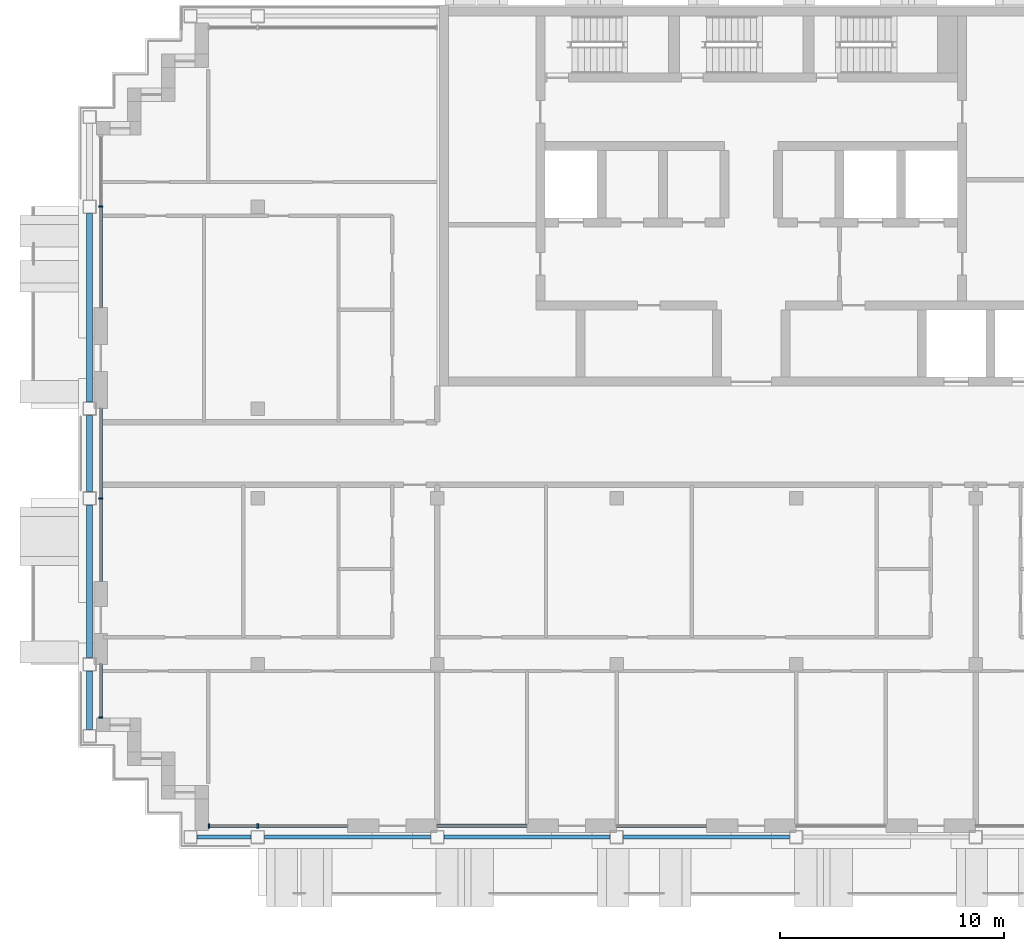
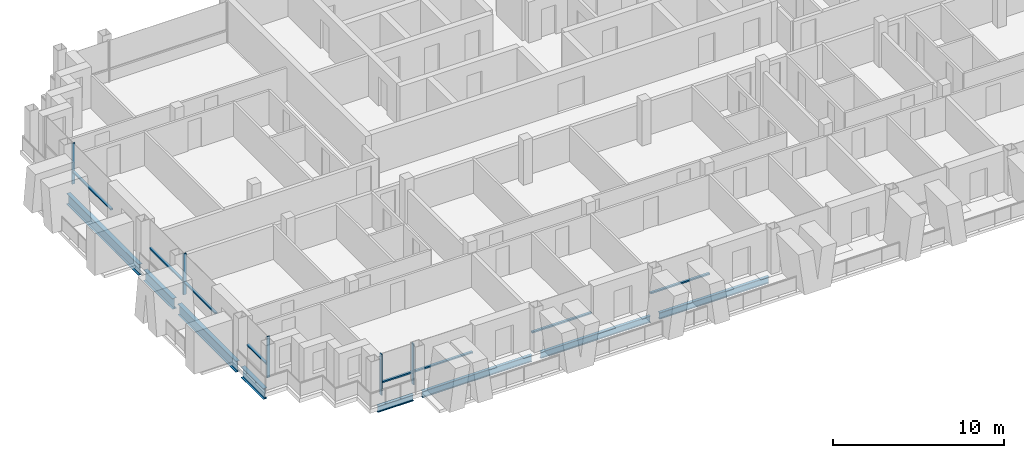
# One storey, part 2 of 15: 13 members, 8 beams, 6 elements without a shape of their own.
"""IFC4 building model written with IfcOpenShell, lengths in metres."""

from ifc_helpers import new_model, si_unit, direction, frame, origin, origin_2d, place, context, subcontext, project, spatial, rectangle, i_section, extrude, material, material_profile, profile_set, type_object, element, aggregate, save


model = new_model("IFC4")

# Units and contexts
model_context = context("Model", 3, precision=1e-05, world=origin(), true_north=direction((0.0, 1.0)))
body_context = subcontext(model_context, "Body", "Model", "MODEL_VIEW")
ifc_project = project(units=[si_unit("LENGTHUNIT", "METRE"), si_unit("AREAUNIT", "SQUARE_METRE"), si_unit("VOLUMEUNIT", "CUBIC_METRE"), si_unit("PLANEANGLEUNIT", "RADIAN"), si_unit("MASSUNIT", "GRAM", prefix="KILO")], contexts=[model_context])

# Site, building, storey
site_placement = place(None, origin())
site = spatial("IfcSite", under=ifc_project, at=site_placement, CompositionType="ELEMENT")
building_placement = place(site_placement, origin())
building = spatial("IfcBuilding", under=site, at=building_placement, Name="Vidyagriha Tower", CompositionType="ELEMENT")
storey_placement = place(building_placement, frame((0.0, 0.0, 210.800048828125)))
storey = spatial("IfcBuildingStorey", under=building, at=storey_placement, Name="L54", CompositionType="ELEMENT", Elevation=210.800048828125)

# Beams
ifc_material_1 = material(Name="Steel ASTM A992 Grade 50", Category="steel")
ifc_material_profile_1 = material_profile(ifc_material_1, i_section(OverallWidth=0.2666015625, OverallDepth=0.76953125, WebThickness=0.015625, FlangeThickness=0.025390625, at=origin_2d()), Name="W30X132")
ifc_profile_set_1 = profile_set([ifc_material_profile_1], Name="Steel ASTM A992 Grade 50")
beam_type_1 = type_object("IfcBeamType", Name="Cantilever edge beam W30X132", PredefinedType="SPANDREL", material=ifc_profile_set_1)
beam_1_placement = place(storey_placement, frame((-29.5, -12.300048828125, -0.664794921875), z_axis=(0.0, 1.0, 0.0), x_axis=(-1.0, 0.0, 0.0)))
element("IfcBeam", 1, at=beam_1_placement, inside=storey, type_object=beam_type_1, Name="st-beam-L54-W08", PredefinedType="SPANDREL", context=body_context, shape_type="SweptSolid", body=[
    extrude(i_section(OverallWidth=0.2666015625, OverallDepth=0.76953125, WebThickness=0.015625, FlangeThickness=0.025390625, at=origin_2d()), origin(), (0.0, 0.0, 1.0), 2.60009765625),
])
beam_2_placement = place(storey_placement, frame((-29.5, -9.10009765625, -0.664794921875), z_axis=(0.0, 1.0, 0.0), x_axis=(-1.0, 0.0, 0.0)))
element("IfcBeam", 2, at=beam_2_placement, inside=storey, type_object=beam_type_1, Name="st-beam-L54-W09", PredefinedType="SPANDREL", context=body_context, shape_type="SweptSolid", body=[
    extrude(i_section(OverallWidth=0.2666015625, OverallDepth=0.76953125, WebThickness=0.015625, FlangeThickness=0.025390625, at=origin_2d()), origin(), (0.0, 0.0, 1.0), 6.800048828125),
])
beam_3_placement = place(storey_placement, frame((-29.5, -1.699951171875, -0.664794921875), z_axis=(0.0, 1.0, 0.0), x_axis=(-1.0, 0.0, 0.0)))
element("IfcBeam", 3, at=beam_3_placement, inside=storey, type_object=beam_type_1, Name="st-beam-L54-W10", PredefinedType="SPANDREL", context=body_context, shape_type="SweptSolid", body=[
    extrude(i_section(OverallWidth=0.2666015625, OverallDepth=0.76953125, WebThickness=0.015625, FlangeThickness=0.025390625, at=origin_2d()), origin(), (0.0, 0.0, 1.0), 3.39990234375),
])
beam_4_placement = place(storey_placement, frame((-29.5, 2.300048828125, -0.664794921875), z_axis=(0.0, 1.0, 0.0), x_axis=(-1.0, 0.0, 0.0)))
element("IfcBeam", 4, at=beam_4_placement, inside=storey, type_object=beam_type_1, Name="st-beam-L54-W11", PredefinedType="SPANDREL", context=body_context, shape_type="SweptSolid", body=[
    extrude(i_section(OverallWidth=0.2666015625, OverallDepth=0.76953125, WebThickness=0.015625, FlangeThickness=0.025390625, at=origin_2d()), origin(), (0.0, 0.0, 1.0), 8.39990234375),
])
ifc_material_2 = material(Name="Steel ASTM A992 Grade 50", Category="steel")
ifc_material_profile_2 = material_profile(ifc_material_2, i_section(OverallWidth=0.19189453125, OverallDepth=0.46240234375, WebThickness=0.010498046875, FlangeThickness=0.017578125, at=origin_2d()), Name="W18X60")
ifc_profile_set_2 = profile_set([ifc_material_profile_2], Name="Steel ASTM A992 Grade 50")
beam_type_2 = type_object("IfcBeamType", Name="Edge beam W18X60", PredefinedType="SPANDREL", material=ifc_profile_set_2)
beam_5_placement = place(storey_placement, frame((-24.699951171875, -17.10009765625, -0.51123046875), z_axis=(1.0, 0.0, 0.0), x_axis=(0.0, 1.0, 0.0)))
element("IfcBeam", 5, at=beam_5_placement, inside=storey, type_object=beam_type_2, Name="st-beam-L54-S01", PredefinedType="SPANDREL", context=body_context, shape_type="SweptSolid", body=[
    extrude(i_section(OverallWidth=0.19189453125, OverallDepth=0.46240234375, WebThickness=0.010498046875, FlangeThickness=0.017578125, at=origin_2d()), origin(), (0.0, 0.0, 1.0), 2.39990234375),
])
for number, where, z_axis, x_axis, name in (
    (6, (-21.699951171875, -17.10009765625, -0.51123046875), (1.0, 0.0, 0.0), (0.0, 1.0, 0.0), "st-beam-L54-S02"),
    (7, (-13.699951171875, -17.10009765625, -0.51123046875), (1.0, 0.0, 0.0), (0.0, 1.0, 0.0), "st-beam-L54-S03"),
    (8, (-5.699951171875, -17.10009765625, -0.51123046875), (1.0, 0.0, 0.0), (0.0, 1.0, 0.0), "st-beam-L54-S04"),
):
    element("IfcBeam", number, at=place(storey_placement, frame(where, z_axis=z_axis, x_axis=x_axis)), inside=storey, type_object=beam_type_2, Name=name, PredefinedType="SPANDREL", context=body_context, shape_type="SweptSolid", body=[
        extrude(i_section(OverallWidth=0.19189453125, OverallDepth=0.46240234375, WebThickness=0.010498046875, FlangeThickness=0.017578125, at=origin_2d()), origin(), (0.0, 0.0, 1.0), 7.39990234375),
    ])

# Curtain wall, member
ifc_material_3 = material(Name="Aluminium and glass curtain wall", Category="aluminium")
curtain_wall_type = type_object("IfcCurtainWallType", Name="Dwelling skin unitised curtain wall", PredefinedType="USERDEFINED", material=ifc_material_3)
curtain_wall_1_placement = place(storey_placement, origin())
curtain_wall_1 = element("IfcCurtainWall", 9, at=curtain_wall_1_placement, inside=storey, type_object=curtain_wall_type, Name="CW1 dwelling skin", ObjectType="UNITISED", PredefinedType="USERDEFINED")
ifc_material_4 = material(Name="Aluminium black anodised", Category="aluminium")
ifc_material_profile_3 = material_profile(ifc_material_4, rectangle(XDim=0.199951171875, YDim=0.070068359375, at=origin_2d()), Name="Mullion 70x200 black aluminium")
ifc_profile_set_3 = profile_set([ifc_material_profile_3], Name="Aluminium black anodised")
member_type_1 = type_object("IfcMemberType", Name="Mullion 70x200 black aluminium", PredefinedType="MULLION", material=ifc_profile_set_3)
member_1_placement = place(storey_placement, frame((-29.0, 11.0, 0.0)))
member_1 = element("IfcMember", 10, at=member_1_placement, type_object=member_type_1, Name="CW1 mullion 2", PredefinedType="MULLION", context=body_context, shape_type="SweptSolid", body=[
    extrude(rectangle(XDim=0.199951171875, YDim=0.070068359375, at=origin_2d()), origin(), (0.0, 0.0, 1.0), 2.919921875),
])

curtain_wall_2_placement = place(storey_placement, origin())
curtain_wall_2 = element("IfcCurtainWall", 11, at=curtain_wall_2_placement, inside=storey, type_object=curtain_wall_type, Name="CW1 dwelling skin", ObjectType="UNITISED", PredefinedType="USERDEFINED")
member_2_placement = place(storey_placement, frame((-29.0, -2.0, 0.0)))
member_2 = element("IfcMember", 12, at=member_2_placement, type_object=member_type_1, Name="CW1 mullion 2", PredefinedType="MULLION", context=body_context, shape_type="SweptSolid", body=[
    extrude(rectangle(XDim=0.199951171875, YDim=0.070068359375, at=origin_2d()), origin(), (0.0, 0.0, 1.0), 2.919921875),
])

curtain_wall_3_placement = place(storey_placement, origin())
curtain_wall_3 = element("IfcCurtainWall", 13, at=curtain_wall_3_placement, inside=storey, type_object=curtain_wall_type, Name="CW1 dwelling skin", ObjectType="UNITISED", PredefinedType="USERDEFINED")
member_3_placement = place(storey_placement, frame((-29.0, -11.764892578125, 0.0)))
member_3 = element("IfcMember", 14, at=member_3_placement, type_object=member_type_1, Name="CW1 mullion 2", PredefinedType="MULLION", context=body_context, shape_type="SweptSolid", body=[
    extrude(rectangle(XDim=0.199951171875, YDim=0.070068359375, at=origin_2d()), origin(), (0.0, 0.0, 1.0), 2.919921875),
])

# Curtain wall, members
curtain_wall_4_placement = place(storey_placement, origin())
curtain_wall_4 = element("IfcCurtainWall", 15, at=curtain_wall_4_placement, inside=storey, type_object=curtain_wall_type, Name="CW1 dwelling skin", ObjectType="UNITISED", PredefinedType="USERDEFINED")
member_4_placement = place(storey_placement, frame((-24.1650390625, -16.60009765625, 0.0), z_axis=(0.0, 0.0, 1.0), x_axis=(0.0, 1.0, 0.0)))
member_4 = element("IfcMember", 16, at=member_4_placement, type_object=member_type_1, Name="CW1 mullion 1", PredefinedType="MULLION", context=body_context, shape_type="SweptSolid", body=[
    extrude(rectangle(XDim=0.199951171875, YDim=0.070068359375, at=origin_2d()), origin(), (0.0, 0.0, 1.0), 2.919921875),
])
member_5_placement = place(storey_placement, frame((-22.0, -16.60009765625, 0.0), z_axis=(0.0, 0.0, 1.0), x_axis=(0.0, 1.0, 0.0)))
member_5 = element("IfcMember", 17, at=member_5_placement, type_object=member_type_1, Name="CW1 mullion 2", PredefinedType="MULLION", context=body_context, shape_type="SweptSolid", body=[
    extrude(rectangle(XDim=0.199951171875, YDim=0.070068359375, at=origin_2d()), origin(), (0.0, 0.0, 1.0), 2.919921875),
])

# Member
ifc_material_5 = material(Name="Aluminium black anodised", Category="aluminium")
ifc_material_profile_4 = material_profile(ifc_material_5, rectangle(XDim=0.159912109375, YDim=0.10009765625, at=origin_2d()), Name="Transom 100x160 black aluminium")
ifc_profile_set_4 = profile_set([ifc_material_profile_4], Name="Aluminium black anodised")
member_type_2 = type_object("IfcMemberType", Name="Transom 100x160 black aluminium", PredefinedType="USERDEFINED", material=ifc_profile_set_4)
member_6_placement = place(storey_placement, frame((-29.0, 10.965087890625, 0.89990234375), z_axis=(0.0, -1.0, 0.0), x_axis=(1.0, 0.0, 0.0)))
member_6 = element("IfcMember", 18, at=member_6_placement, type_object=member_type_2, Name="CW1 transom 2.1", ObjectType="TRANSOM", PredefinedType="USERDEFINED", context=body_context, shape_type="SweptSolid", body=[
    extrude(rectangle(XDim=0.159912109375, YDim=0.10009765625, at=origin_2d()), origin(), (0.0, 0.0, 1.0), 4.465087890625),
])

aggregate(curtain_wall_1, [member_1, member_6])

member_7_placement = place(storey_placement, frame((-29.0, 2.0, 0.89990234375), z_axis=(0.0, -1.0, 0.0), x_axis=(1.0, 0.0, 0.0)))
member_7 = element("IfcMember", 19, at=member_7_placement, type_object=member_type_2, Name="CW1 transom 1.1", ObjectType="TRANSOM", PredefinedType="USERDEFINED", context=body_context, shape_type="SweptSolid", body=[
    extrude(rectangle(XDim=0.159912109375, YDim=0.10009765625, at=origin_2d()), origin(), (0.0, 0.0, 1.0), 3.965087890625),
])

member_8_placement = place(storey_placement, frame((-29.0, -2.034912109375, 0.89990234375), z_axis=(0.0, -1.0, 0.0), x_axis=(1.0, 0.0, 0.0)))
member_8 = element("IfcMember", 20, at=member_8_placement, type_object=member_type_2, Name="CW1 transom 2.1", ObjectType="TRANSOM", PredefinedType="USERDEFINED", context=body_context, shape_type="SweptSolid", body=[
    extrude(rectangle(XDim=0.159912109375, YDim=0.10009765625, at=origin_2d()), origin(), (0.0, 0.0, 1.0), 3.6650390625),
])

aggregate(curtain_wall_2, [member_2, member_7, member_8])

member_9_placement = place(storey_placement, frame((-29.0, -9.39990234375, 0.89990234375), z_axis=(0.0, -1.0, 0.0), x_axis=(1.0, 0.0, 0.0)))
member_9 = element("IfcMember", 21, at=member_9_placement, type_object=member_type_2, Name="CW1 transom 1.1", ObjectType="TRANSOM", PredefinedType="USERDEFINED", context=body_context, shape_type="SweptSolid", body=[
    extrude(rectangle(XDim=0.159912109375, YDim=0.10009765625, at=origin_2d()), origin(), (0.0, 0.0, 1.0), 2.330078125),
])

aggregate(curtain_wall_3, [member_3, member_9])

member_10_placement = place(storey_placement, frame((-24.1298828125, -16.60009765625, 0.89990234375), z_axis=(1.0, 0.0, 0.0), x_axis=(0.0, 1.0, 0.0)))
member_10 = element("IfcMember", 22, at=member_10_placement, type_object=member_type_2, Name="CW1 transom 1.1", ObjectType="TRANSOM", PredefinedType="USERDEFINED", context=body_context, shape_type="SweptSolid", body=[
    extrude(rectangle(XDim=0.159912109375, YDim=0.10009765625, at=origin_2d()), origin(), (0.0, 0.0, 1.0), 2.094970703125),
])

member_11_placement = place(storey_placement, frame((-21.965087890625, -16.60009765625, 0.89990234375), z_axis=(1.0, 0.0, 0.0), x_axis=(0.0, 1.0, 0.0)))
member_11 = element("IfcMember", 23, at=member_11_placement, type_object=member_type_2, Name="CW1 transom 2.1", ObjectType="TRANSOM", PredefinedType="USERDEFINED", context=body_context, shape_type="SweptSolid", body=[
    extrude(rectangle(XDim=0.159912109375, YDim=0.10009765625, at=origin_2d()), origin(), (0.0, 0.0, 1.0), 3.965087890625),
])

aggregate(curtain_wall_4, [member_4, member_5, member_10, member_11])

# Curtain wall, member
curtain_wall_5_placement = place(storey_placement, origin())
curtain_wall_5 = element("IfcCurtainWall", 24, at=curtain_wall_5_placement, inside=storey, type_object=curtain_wall_type, Name="CW1 dwelling skin", ObjectType="UNITISED", PredefinedType="USERDEFINED")
member_12_placement = place(storey_placement, frame((-14.0, -16.60009765625, 0.89990234375), z_axis=(1.0, 0.0, 0.0), x_axis=(0.0, 1.0, 0.0)))
member_12 = element("IfcMember", 25, at=member_12_placement, type_object=member_type_2, Name="CW1 transom 1.1", ObjectType="TRANSOM", PredefinedType="USERDEFINED", context=body_context, shape_type="SweptSolid", body=[
    extrude(rectangle(XDim=0.159912109375, YDim=0.10009765625, at=origin_2d()), origin(), (0.0, 0.0, 1.0), 4.0),
])
aggregate(curtain_wall_5, [member_12])

curtain_wall_6_placement = place(storey_placement, origin())
curtain_wall_6 = element("IfcCurtainWall", 26, at=curtain_wall_6_placement, inside=storey, type_object=curtain_wall_type, Name="CW1 dwelling skin", ObjectType="UNITISED", PredefinedType="USERDEFINED")
member_13_placement = place(storey_placement, frame((-6.0, -16.60009765625, 0.89990234375), z_axis=(1.0, 0.0, 0.0), x_axis=(0.0, 1.0, 0.0)))
member_13 = element("IfcMember", 27, at=member_13_placement, type_object=member_type_2, Name="CW1 transom 1.1", ObjectType="TRANSOM", PredefinedType="USERDEFINED", context=body_context, shape_type="SweptSolid", body=[
    extrude(rectangle(XDim=0.159912109375, YDim=0.10009765625, at=origin_2d()), origin(), (0.0, 0.0, 1.0), 4.0),
])
aggregate(curtain_wall_6, [member_13])

save(model, "model.ifc")
